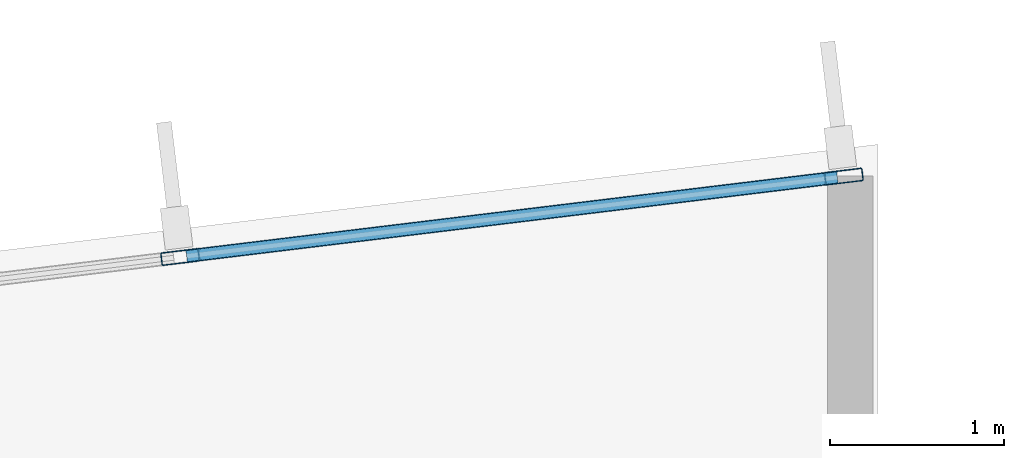
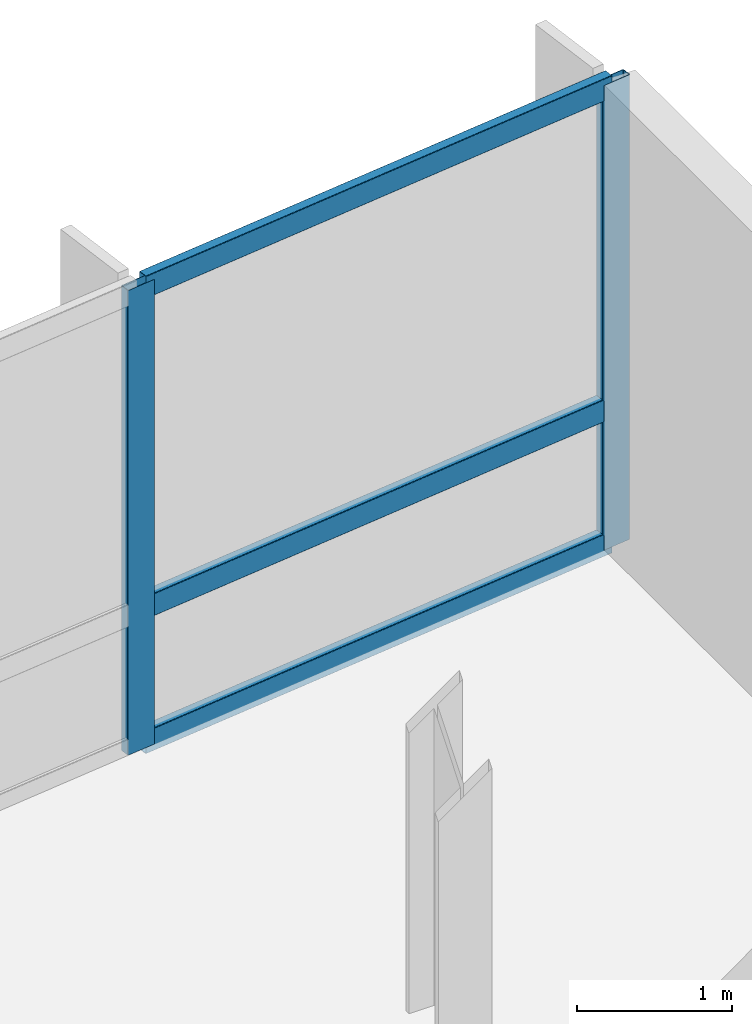
# One storey, part 8 of 16: 5 members, 1 element without a shape of its own.
"""IFC4 building model written with IfcOpenShell, lengths in metres."""

from ifc_helpers import new_model, si_unit, direction, frame, origin, origin_2d, place, context, subcontext, project, spatial, hollow_rectangle, extrude, material, layer, layer_set, material_profile, profile_set, type_object, element, aggregate, save


model = new_model("IFC4")

# Units and contexts
model_context = context("Model", 3, precision=1e-05, world=origin(), true_north=direction((0.0, 1.0)))
body_context = subcontext(model_context, "Body", "Model", "MODEL_VIEW")
ifc_project = project(units=[si_unit("LENGTHUNIT", "METRE"), si_unit("AREAUNIT", "SQUARE_METRE"), si_unit("VOLUMEUNIT", "CUBIC_METRE"), si_unit("PLANEANGLEUNIT", "RADIAN"), si_unit("MASSUNIT", "GRAM", prefix="KILO")], contexts=[model_context])

# Site, building, storey
site_placement = place(None, origin())
site = spatial("IfcSite", under=ifc_project, at=site_placement, CompositionType="ELEMENT")
building_placement = place(site_placement, origin())
building = spatial("IfcBuilding", under=site, at=building_placement, Name="Varnakote Quay Hospital", CompositionType="ELEMENT")
storey_placement = place(building_placement, frame((0.0, 0.0, 170.5)))
storey = spatial("IfcBuildingStorey", under=building, at=storey_placement, Name="L42", CompositionType="ELEMENT", Elevation=170.5)

# Curtain wall, members
ifc_material_1 = material(Name="Anodised aluminium 6063-T6 Bronze", Category="aluminium")
ifc_layer = layer(ifc_material_1, 0.205078125)
ifc_layer_set = layer_set([ifc_layer], Name="Anodised aluminium 6063-T6 Bronze")
curtain_wall_type = type_object("IfcCurtainWallType", Name="CW-SYS-3", PredefinedType="NOTDEFINED", material=ifc_layer_set)
curtain_wall_placement = place(storey_placement, origin())
curtain_wall = element("IfcCurtainWall", 1, at=curtain_wall_placement, inside=storey, type_object=curtain_wall_type, Name="L42 Unitised Bronze Curtain Wall 1", PredefinedType="NOTDEFINED")
ifc_material_2 = material(Name="Anodised aluminium 6063-T6 Bronze", Category="aluminium")
ifc_material_profile_1 = material_profile(ifc_material_2, hollow_rectangle(XDim=0.074951171875, YDim=0.219970703125, WallThickness=0.00439453125, InnerFilletRadius=0.00439453125, OuterFilletRadius=0.009033203125, at=origin_2d()), Name="CW-MULL-220x75")
ifc_profile_set_1 = profile_set([ifc_material_profile_1], Name="Anodised aluminium 6063-T6 Bronze")
member_type_1 = type_object("IfcMemberType", Name="CW-MULL-220x75", PredefinedType="MULLION", material=ifc_profile_set_1)
member_1_placement = place(storey_placement, frame((54.002685546875, 32.914794921875, 0.0), z_axis=(0.0, 0.0, 1.0), x_axis=(0.12032713492, -0.992734295067, 0.0)))
member_1 = element("IfcMember", 2, at=member_1_placement, type_object=member_type_1, Name="-3-L42-1 mullion 1", PredefinedType="MULLION", context=body_context, shape_type="SweptSolid", body=[
    extrude(hollow_rectangle(XDim=0.074951171875, YDim=0.219970703125, WallThickness=0.00439453125, InnerFilletRadius=0.00439453125, OuterFilletRadius=0.009033203125, at=origin_2d()), origin(), (0.0, 0.0, 1.0), 3.669921875),
])
member_2_placement = place(storey_placement, frame((50.1875, 32.452392578125, 0.0), z_axis=(0.0, 0.0, 1.0), x_axis=(0.12032713492, -0.992734295067, 0.0)))
member_2 = element("IfcMember", 3, at=member_2_placement, type_object=member_type_1, Name="-3-L42-1 mullion 2", PredefinedType="MULLION", context=body_context, shape_type="SweptSolid", body=[
    extrude(hollow_rectangle(XDim=0.074951171875, YDim=0.219970703125, WallThickness=0.00439453125, InnerFilletRadius=0.00439453125, OuterFilletRadius=0.009033203125, at=origin_2d()), origin(), (0.0, 0.0, 1.0), 3.669921875),
])
ifc_material_3 = material(Name="Anodised aluminium 6063-T6 Bronze", Category="aluminium")
ifc_material_profile_2 = material_profile(ifc_material_3, hollow_rectangle(XDim=0.074951171875, YDim=0.179931640625, WallThickness=0.004150390625, InnerFilletRadius=0.004150390625, OuterFilletRadius=0.00830078125, at=origin_2d()), Name="CW-TRAN-180x75")
ifc_profile_set_2 = profile_set([ifc_material_profile_2], Name="Anodised aluminium 6063-T6 Bronze")
member_type_2 = type_object("IfcMemberType", Name="CW-TRAN-180x75", PredefinedType="USERDEFINED", material=ifc_profile_set_2)
member_3_placement = place(storey_placement, frame((53.965576171875, 32.910400390625, 0.03759765625), z_axis=(-0.992735423717, -0.120317822859, 0.0), x_axis=(0.120317822859, -0.992735423717, 0.0)))
member_3 = element("IfcMember", 4, at=member_3_placement, type_object=member_type_2, Name="-3-L42-1 transom 1.1", ObjectType="TRANSOM", PredefinedType="USERDEFINED", context=body_context, shape_type="SweptSolid", body=[
    extrude(hollow_rectangle(XDim=0.074951171875, YDim=0.179931640625, WallThickness=0.004150390625, InnerFilletRadius=0.004150390625, OuterFilletRadius=0.00830078125, at=origin_2d()), origin(), (0.0, 0.0, 1.0), 3.76806640625),
])
member_4_placement = place(storey_placement, frame((53.965576171875, 32.910400390625, 1.10009765625), z_axis=(-0.992735423717, -0.120317822859, 0.0), x_axis=(0.120317822859, -0.992735423717, 0.0)))
member_4 = element("IfcMember", 5, at=member_4_placement, type_object=member_type_2, Name="-3-L42-1 transom 1.2", ObjectType="TRANSOM", PredefinedType="USERDEFINED", context=body_context, shape_type="SweptSolid", body=[
    extrude(hollow_rectangle(XDim=0.074951171875, YDim=0.179931640625, WallThickness=0.004150390625, InnerFilletRadius=0.004150390625, OuterFilletRadius=0.00830078125, at=origin_2d()), origin(), (0.0, 0.0, 1.0), 3.76806640625),
])
member_5_placement = place(storey_placement, frame((53.965576171875, 32.910400390625, 3.632568359375), z_axis=(-0.992735423717, -0.120317822859, 0.0), x_axis=(0.120317822859, -0.992735423717, 0.0)))
member_5 = element("IfcMember", 6, at=member_5_placement, type_object=member_type_2, Name="-3-L42-1 transom 1.3", ObjectType="TRANSOM", PredefinedType="USERDEFINED", context=body_context, shape_type="SweptSolid", body=[
    extrude(hollow_rectangle(XDim=0.074951171875, YDim=0.179931640625, WallThickness=0.004150390625, InnerFilletRadius=0.004150390625, OuterFilletRadius=0.00830078125, at=origin_2d()), origin(), (0.0, 0.0, 1.0), 3.76806640625),
])
aggregate(curtain_wall, [member_1, member_2, member_3, member_4, member_5])

save(model, "model.ifc")
